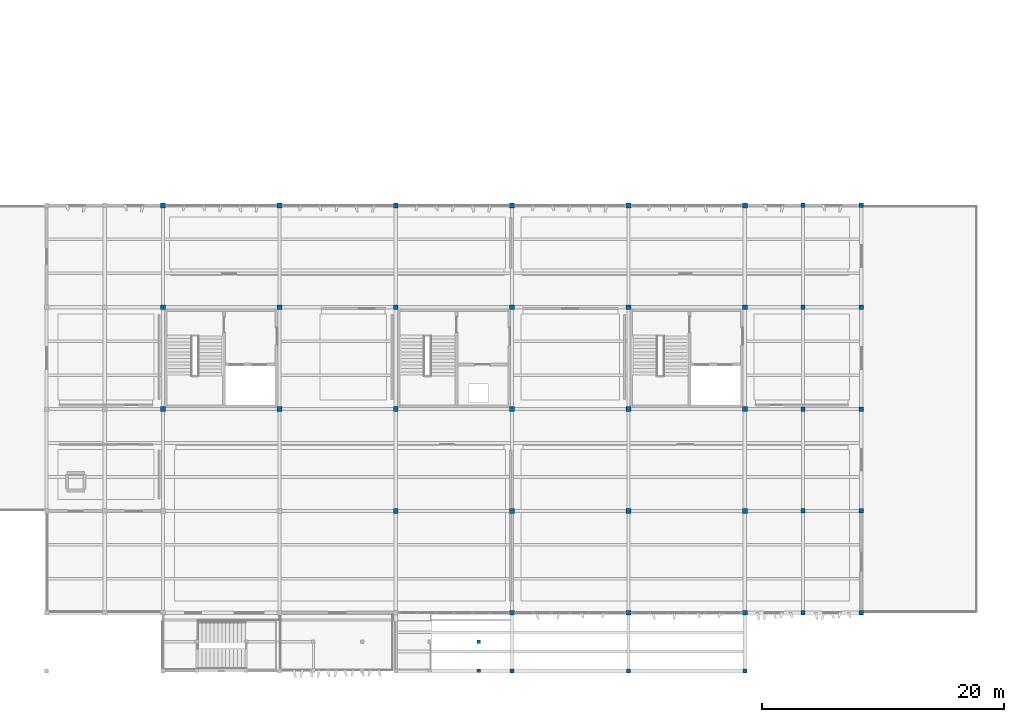
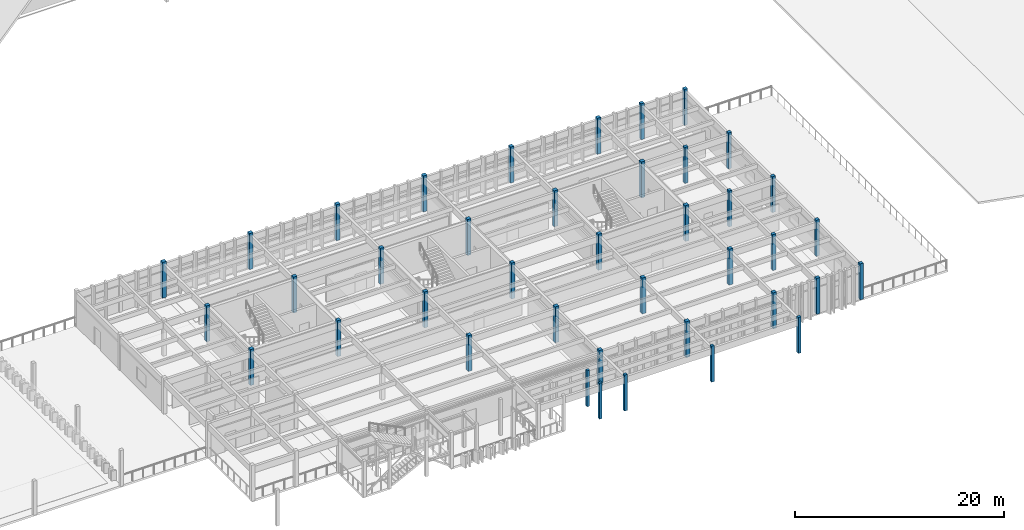
# One storey, part 2 of 42: 40 columns.
"""IFC4 building model written with IfcOpenShell, lengths in metres."""

from ifc_helpers import new_model, si_unit, direction, frame, origin, origin_2d, place, context, subcontext, project, spatial, rectangle, extrude, material, material_profile, profile_set, type_object, element, save


model = new_model("IFC4")

# Units and contexts
model_context = context("Model", 3, precision=1e-05, world=origin(), true_north=direction((0.0, 1.0)))
body_context = subcontext(model_context, "Body", "Model", "MODEL_VIEW")
ifc_project = project(units=[si_unit("LENGTHUNIT", "METRE"), si_unit("AREAUNIT", "SQUARE_METRE"), si_unit("VOLUMEUNIT", "CUBIC_METRE"), si_unit("PLANEANGLEUNIT", "RADIAN"), si_unit("MASSUNIT", "GRAM", prefix="KILO")], contexts=[model_context])

# Site, building, storey
site_placement = place(None, origin())
site = spatial("IfcSite", under=ifc_project, at=site_placement, CompositionType="ELEMENT")
building_placement = place(site_placement, origin())
building = spatial("IfcBuilding", under=site, at=building_placement, Name="Kolvemor Railside Polytechnic", CompositionType="ELEMENT")
storey_placement = place(building_placement, frame((0.0, 0.0, 14.39990234375)))
storey = spatial("IfcBuildingStorey", under=building, at=storey_placement, Name="L03", CompositionType="ELEMENT", Elevation=14.39990234375)

# Columns
ifc_material_1 = material(Name="Glulam GL28h", Category="wood")
ifc_material_profile_1 = material_profile(ifc_material_1, rectangle(XDim=0.2900390625, YDim=0.2900390625, at=origin_2d()), Name="GL290x290")
ifc_profile_set_1 = profile_set([ifc_material_profile_1], Name="Glulam GL28h")
column_type_1 = type_object("IfcColumnType", Name="COL-GL290", PredefinedType="COLUMN", material=ifc_profile_set_1)
for number, where, z_axis, x_axis, name in (
    (1, (93.25, 0.0, 0.0), (0.0, 0.0, 1.0), (1.0, 0.0, 0.0), "Column L03-C080"),
    (2, (93.25, 2.39990234375, 0.0), (0.0, 0.0, 1.0), (1.0, 0.0, 0.0), "Column L03-C081"),
):
    element("IfcColumn", number, at=place(storey_placement, frame(where, z_axis=z_axis, x_axis=x_axis)), inside=storey, type_object=column_type_1, Name=name, PredefinedType="COLUMN", context=body_context, shape_type="SweptSolid", body=[
        extrude(rectangle(XDim=0.2900390625, YDim=0.2900390625, at=origin_2d()), origin(), (0.0, 0.0, 1.0), 4.2001953125),
    ])
ifc_material_2 = material(Name="Glulam GL28h", Category="wood")
ifc_material_profile_2 = material_profile(ifc_material_2, rectangle(XDim=0.31494140625, YDim=0.31494140625, at=origin_2d()), Name="GL315x315")
ifc_profile_set_2 = profile_set([ifc_material_profile_2], Name="Glulam GL28h")
column_type_2 = type_object("IfcColumnType", Name="COL-GL315", PredefinedType="COLUMN", material=ifc_profile_set_2)
for number, where, z_axis, x_axis, name in (
    (3, (96.0, 0.0, 0.0), (0.0, 0.0, 1.0), (1.0, 0.0, 0.0), "Column L03-C082"),
    (4, (105.60009765625, 0.0, 0.0), (0.0, 0.0, 1.0), (1.0, 0.0, 0.0), "Column L03-C088"),
    (5, (115.199951171875, 0.0, 0.0), (0.0, 0.0, 1.0), (1.0, 0.0, 0.0), "Column L03-C094"),
):
    element("IfcColumn", number, at=place(storey_placement, frame(where, z_axis=z_axis, x_axis=x_axis)), inside=storey, type_object=column_type_2, Name=name, PredefinedType="COLUMN", context=body_context, shape_type="SweptSolid", body=[
        extrude(rectangle(XDim=0.31494140625, YDim=0.31494140625, at=origin_2d()), origin(), (0.0, 0.0, 1.0), 4.2001953125),
    ])
ifc_material_3 = material(Name="Glulam GL28h", Category="wood")
ifc_material_profile_3 = material_profile(ifc_material_3, rectangle(XDim=0.364990234375, YDim=0.364990234375, at=origin_2d()), Name="GL365x365")
ifc_profile_set_3 = profile_set([ifc_material_profile_3], Name="Glulam GL28h")
column_type_3 = type_object("IfcColumnType", Name="COL-GL365", PredefinedType="COLUMN", material=ifc_profile_set_3)
for number, where, z_axis, x_axis, name in (
    (6, (120.0, 4.800048828125, 0.0), (0.0, 0.0, 1.0), (1.0, 0.0, 0.0), "Column L03-C100"),
    (7, (120.0, 13.199951171875, 0.0), (0.0, 0.0, 1.0), (1.0, 0.0, 0.0), "Column L03-C101"),
    (8, (120.0, 21.60009765625, 0.0), (0.0, 0.0, 1.0), (1.0, 0.0, 0.0), "Column L03-C102"),
    (9, (120.0, 30.0, 0.0), (0.0, 0.0, 1.0), (1.0, 0.0, 0.0), "Column L03-C103"),
    (10, (120.0, 38.39990234375, 0.0), (0.0, 0.0, 1.0), (1.0, 0.0, 0.0), "Column L03-C104"),
    (11, (124.800048828125, 4.800048828125, 0.0), (0.0, 0.0, 1.0), (1.0, 0.0, 0.0), "Column L03-C105"),
    (12, (124.800048828125, 13.199951171875, 0.0), (0.0, 0.0, 1.0), (1.0, 0.0, 0.0), "Column L03-C106"),
    (13, (124.800048828125, 21.60009765625, 0.0), (0.0, 0.0, 1.0), (1.0, 0.0, 0.0), "Column L03-C107"),
    (14, (124.800048828125, 30.0, 0.0), (0.0, 0.0, 1.0), (1.0, 0.0, 0.0), "Column L03-C108"),
    (15, (124.800048828125, 38.39990234375, 0.0), (0.0, 0.0, 1.0), (1.0, 0.0, 0.0), "Column L03-C109"),
):
    element("IfcColumn", number, at=place(storey_placement, frame(where, z_axis=z_axis, x_axis=x_axis)), inside=storey, type_object=column_type_3, Name=name, PredefinedType="COLUMN", context=body_context, shape_type="SweptSolid", body=[
        extrude(rectangle(XDim=0.364990234375, YDim=0.364990234375, at=origin_2d()), origin(), (0.0, 0.0, 1.0), 4.2001953125),
    ])
ifc_material_4 = material(Name="Glulam GL28h", Category="wood")
ifc_material_profile_4 = material_profile(ifc_material_4, rectangle(XDim=0.39990234375, YDim=0.39990234375, at=origin_2d()), Name="GL400x400")
ifc_profile_set_4 = profile_set([ifc_material_profile_4], Name="Glulam GL28h")
column_type_4 = type_object("IfcColumnType", Name="COL-GL400", PredefinedType="COLUMN", material=ifc_profile_set_4)
for number, where, z_axis, x_axis, name in (
    (16, (67.199951171875, 21.60009765625, 0.0), (0.0, 0.0, 1.0), (1.0, 0.0, 0.0), "Column L03-C055"),
    (17, (67.199951171875, 30.0, 0.0), (0.0, 0.0, 1.0), (1.0, 0.0, 0.0), "Column L03-C056"),
    (18, (67.199951171875, 38.39990234375, 0.0), (0.0, 0.0, 1.0), (1.0, 0.0, 0.0), "Column L03-C057"),
    (19, (76.800048828125, 21.60009765625, 0.0), (0.0, 0.0, 1.0), (1.0, 0.0, 0.0), "Column L03-C065"),
    (20, (76.800048828125, 30.0, 0.0), (0.0, 0.0, 1.0), (1.0, 0.0, 0.0), "Column L03-C066"),
    (21, (76.800048828125, 38.39990234375, 0.0), (0.0, 0.0, 1.0), (1.0, 0.0, 0.0), "Column L03-C067"),
    (22, (86.39990234375, 13.199951171875, 0.0), (0.0, 0.0, 1.0), (1.0, 0.0, 0.0), "Column L03-C074"),
    (23, (86.39990234375, 21.60009765625, 0.0), (0.0, 0.0, 1.0), (1.0, 0.0, 0.0), "Column L03-C075"),
    (24, (86.39990234375, 30.0, 0.0), (0.0, 0.0, 1.0), (1.0, 0.0, 0.0), "Column L03-C076"),
    (25, (86.39990234375, 38.39990234375, 0.0), (0.0, 0.0, 1.0), (1.0, 0.0, 0.0), "Column L03-C077"),
    (26, (96.0, 4.800048828125, 0.0), (0.0, 0.0, 1.0), (1.0, 0.0, 0.0), "Column L03-C083"),
    (27, (96.0, 13.199951171875, 0.0), (0.0, 0.0, 1.0), (1.0, 0.0, 0.0), "Column L03-C084"),
    (28, (96.0, 21.60009765625, 0.0), (0.0, 0.0, 1.0), (1.0, 0.0, 0.0), "Column L03-C085"),
    (29, (96.0, 30.0, 0.0), (0.0, 0.0, 1.0), (1.0, 0.0, 0.0), "Column L03-C086"),
    (30, (96.0, 38.39990234375, 0.0), (0.0, 0.0, 1.0), (1.0, 0.0, 0.0), "Column L03-C087"),
    (31, (105.60009765625, 4.800048828125, 0.0), (0.0, 0.0, 1.0), (1.0, 0.0, 0.0), "Column L03-C089"),
    (32, (105.60009765625, 13.199951171875, 0.0), (0.0, 0.0, 1.0), (1.0, 0.0, 0.0), "Column L03-C090"),
    (33, (105.60009765625, 21.60009765625, 0.0), (0.0, 0.0, 1.0), (1.0, 0.0, 0.0), "Column L03-C091"),
    (34, (105.60009765625, 30.0, 0.0), (0.0, 0.0, 1.0), (1.0, 0.0, 0.0), "Column L03-C092"),
    (35, (105.60009765625, 38.39990234375, 0.0), (0.0, 0.0, 1.0), (1.0, 0.0, 0.0), "Column L03-C093"),
    (36, (115.199951171875, 4.800048828125, 0.0), (0.0, 0.0, 1.0), (1.0, 0.0, 0.0), "Column L03-C095"),
    (37, (115.199951171875, 13.199951171875, 0.0), (0.0, 0.0, 1.0), (1.0, 0.0, 0.0), "Column L03-C096"),
    (38, (115.199951171875, 21.60009765625, 0.0), (0.0, 0.0, 1.0), (1.0, 0.0, 0.0), "Column L03-C097"),
    (39, (115.199951171875, 30.0, 0.0), (0.0, 0.0, 1.0), (1.0, 0.0, 0.0), "Column L03-C098"),
    (40, (115.199951171875, 38.39990234375, 0.0), (0.0, 0.0, 1.0), (1.0, 0.0, 0.0), "Column L03-C099"),
):
    element("IfcColumn", number, at=place(storey_placement, frame(where, z_axis=z_axis, x_axis=x_axis)), inside=storey, type_object=column_type_4, Name=name, PredefinedType="COLUMN", context=body_context, shape_type="SweptSolid", body=[
        extrude(rectangle(XDim=0.39990234375, YDim=0.39990234375, at=origin_2d()), origin(), (0.0, 0.0, 1.0), 4.2001953125),
    ])

save(model, "model.ifc")
